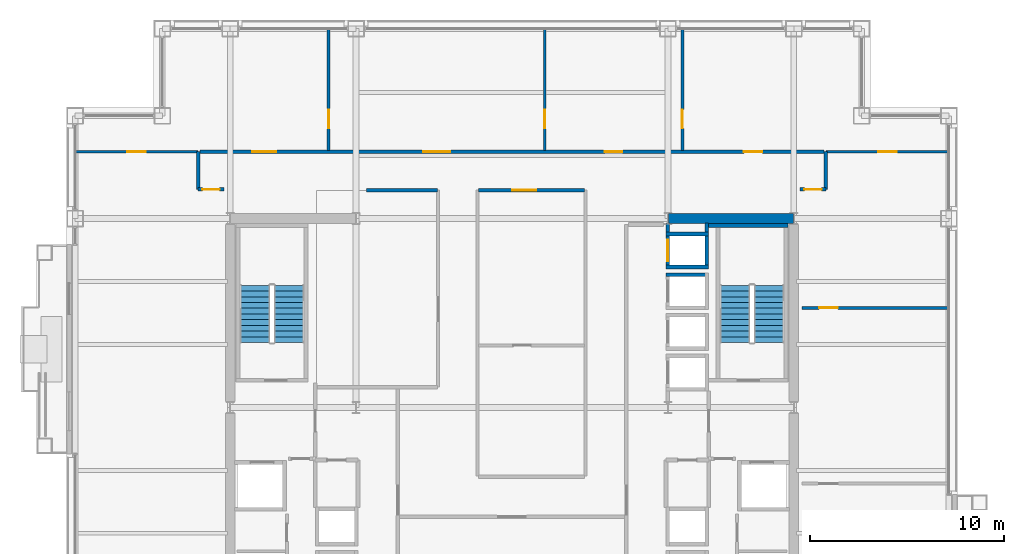
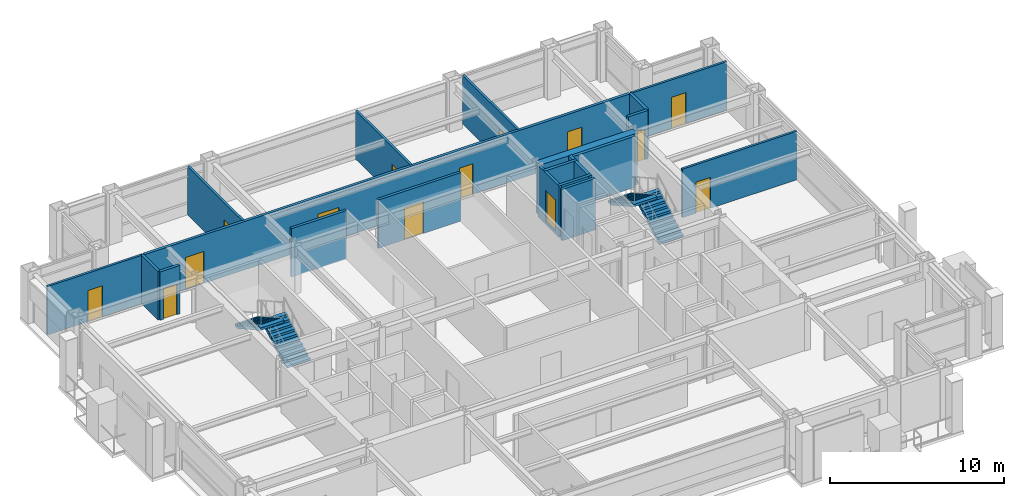
# One storey, part 27 of 30: 20 walls, 14 doors, 4 stair flights, 14 openings, 2 elements without a shape of their own.
"""IFC4 building model written with IfcOpenShell, lengths in metres."""

from ifc_helpers import new_model, si_unit, direction, frame, frame_2d, origin, place, context, subcontext, project, spatial, polyline, rectangle, outline, extrude, material, layer, layer_set, type_object, element, fill, aggregate, save


model = new_model("IFC4")

# Units and contexts
model_context = context("Model", 3, precision=1e-05, world=origin(), true_north=direction((0.0, 1.0)))
body_context = subcontext(model_context, "Body", "Model", "MODEL_VIEW")
ifc_project = project(units=[si_unit("LENGTHUNIT", "METRE"), si_unit("AREAUNIT", "SQUARE_METRE"), si_unit("VOLUMEUNIT", "CUBIC_METRE"), si_unit("PLANEANGLEUNIT", "RADIAN"), si_unit("MASSUNIT", "GRAM", prefix="KILO")], contexts=[model_context])

# Site, building, storey
site_placement = place(None, origin())
site = spatial("IfcSite", under=ifc_project, at=site_placement, CompositionType="ELEMENT")
building_placement = place(site_placement, origin())
building = spatial("IfcBuilding", under=site, at=building_placement, Name="Brelmoor Portico Tower", CompositionType="ELEMENT")
storey_placement = place(building_placement, frame((0.0, 0.0, 102.60009765625)))
storey = spatial("IfcBuildingStorey", under=building, at=storey_placement, Name="L26", CompositionType="ELEMENT", Elevation=102.60009765625)

# Wall
ifc_material_1 = material(Name="Concrete C60", Category="concrete")
ifc_layer_1 = layer(ifc_material_1, 0.5)
ifc_layer_set_1 = layer_set([ifc_layer_1], Name="Concrete C60")
wall_type_1 = type_object("IfcWallType", Name="WL-CORE-500", PredefinedType="SHEAR", material=ifc_layer_set_1)
wall_1_placement = place(storey_placement, frame((8.070068359375, 9.75, -0.2001953125), z_axis=(0.0, 0.0, 1.0), x_axis=(1.0, 0.0, 0.0)))
element("IfcWall", 1, at=wall_1_placement, inside=storey, type_object=wall_type_1, Name="L26 EC North Shear Wall", PredefinedType="SHEAR", context=body_context, shape_type="SweptSolid", body=[
    extrude(rectangle(XDim=6.4599609375, YDim=0.5, at=frame_2d((3.22998046875, 0.0))), origin(), (0.0, 0.0, 1.0), 3.60009765625),
])

# Wall, opening, door
ifc_material_2 = material(Name="Wet-Area Moisture-Resistant Partition", Category="gypsum")
ifc_layer_2 = layer(ifc_material_2, 0.14990234375)
ifc_layer_set_2 = layer_set([ifc_layer_2], Name="Wet-Area Moisture-Resistant Partition")
wall_type_2 = type_object("IfcWallType", Name="WL-PART-150", PredefinedType="PARTITIONING", material=ifc_layer_set_2)
wall_2_placement = place(storey_placement, frame((-9.469482421875, 13.260009765625, 0.0), z_axis=(0.0, 0.0, 1.0), x_axis=(0.0, 1.0, 0.0)))
wall_2 = element("IfcWall", 2, at=wall_2_placement, inside=storey, type_object=wall_type_2, Name="L26 North Suite Partition 1", PredefinedType="PARTITIONING", context=body_context, shape_type="SweptSolid", body=[
    extrude(rectangle(XDim=6.300048828125, YDim=0.14990234375, at=frame_2d((3.14990234375, 0.0))), origin(), (0.0, 0.0, 1.0), 3.39990234375),
])
opening_1_placement = place(wall_2_placement, frame((1.14990234375, 0.0, 0.0)))
opening_1 = element("IfcOpeningElement", 3, at=opening_1_placement, cuts=wall_2, Name="Opening D-IN2", PredefinedType="OPENING", context=body_context, shape_type="SweptSolid", body=[
    extrude(rectangle(XDim=0.9599609375, YDim=2.179931640625, at=frame_2d((0.47998046875, 1.08984375))), frame((0.0, 0.0849609375, 0.0), z_axis=(0.0, -1.0, 0.0), x_axis=(1.0, 0.0, 0.0)), (0.0, 0.0, 1.0), 0.169921875),
])
ifc_material_3 = material(Name="Lacquered Timber Suite Door", Category="wood")
door_type_1 = type_object("IfcDoorType", Name="DR-INT-950", OperationType="NOTDEFINED", PredefinedType="DOOR", material=ifc_material_3)
door_1_placement = place(opening_1_placement, origin())
door_1 = element("IfcDoor", 4, at=door_1_placement, inside=storey, type_object=door_type_1, Name="D-1151 L26 North Suite Connecting Door 1", OperationType="SINGLE_SWING_LEFT", OverallHeight=2.179931640625, OverallWidth=0.9599609375, PredefinedType="DOOR", context=body_context, shape_type="SweptSolid", body=[
    extrude(rectangle(XDim=0.9599609375, YDim=2.179931640625, at=frame_2d((0.47998046875, 1.08984375))), frame((0.0, 0.02490234375, 0.0), z_axis=(0.0, -1.0, 0.0), x_axis=(1.0, 0.0, 0.0)), (0.0, 0.0, 1.0), 0.050048828125),
])
fill(opening_1, door_1)

wall_3_placement = place(storey_placement, frame((1.69091796875, 13.260009765625, 0.0), z_axis=(0.0, 0.0, 1.0), x_axis=(0.0, 1.0, 0.0)))
wall_3 = element("IfcWall", 5, at=wall_3_placement, inside=storey, type_object=wall_type_2, Name="L26 North Suite Partition 2", PredefinedType="PARTITIONING", context=body_context, shape_type="SweptSolid", body=[
    extrude(rectangle(XDim=6.300048828125, YDim=0.14990234375, at=frame_2d((3.14990234375, 0.0))), origin(), (0.0, 0.0, 1.0), 3.39990234375),
])
opening_2_placement = place(wall_3_placement, frame((1.14990234375, 0.0, 0.0)))
opening_2 = element("IfcOpeningElement", 6, at=opening_2_placement, cuts=wall_3, Name="Opening D-IN2", PredefinedType="OPENING", context=body_context, shape_type="SweptSolid", body=[
    extrude(rectangle(XDim=0.9599609375, YDim=2.179931640625, at=frame_2d((0.47998046875, 1.08984375))), frame((0.0, 0.0849609375, 0.0), z_axis=(0.0, -1.0, 0.0), x_axis=(1.0, 0.0, 0.0)), (0.0, 0.0, 1.0), 0.169921875),
])
door_2_placement = place(opening_2_placement, origin())
door_2 = element("IfcDoor", 7, at=door_2_placement, inside=storey, type_object=door_type_1, Name="D-1152 L26 North Suite Connecting Door 2", OperationType="SINGLE_SWING_RIGHT", OverallHeight=2.179931640625, OverallWidth=0.9599609375, PredefinedType="DOOR", context=body_context, shape_type="SweptSolid", body=[
    extrude(rectangle(XDim=0.9599609375, YDim=2.179931640625, at=frame_2d((0.47998046875, 1.08984375))), frame((0.0, 0.02490234375, 0.0), z_axis=(0.0, -1.0, 0.0), x_axis=(1.0, 0.0, 0.0)), (0.0, 0.0, 1.0), 0.050048828125),
])
fill(opening_2, door_2)

wall_4_placement = place(storey_placement, frame((8.793212890625, 13.260009765625, 0.0), z_axis=(0.0, 0.0, 1.0), x_axis=(0.0, 1.0, 0.0)))
wall_4 = element("IfcWall", 8, at=wall_4_placement, inside=storey, type_object=wall_type_2, Name="L26 North Suite Partition 3", PredefinedType="PARTITIONING", context=body_context, shape_type="SweptSolid", body=[
    extrude(rectangle(XDim=6.300048828125, YDim=0.14990234375, at=frame_2d((3.14990234375, 0.0))), origin(), (0.0, 0.0, 1.0), 3.39990234375),
])
opening_3_placement = place(wall_4_placement, frame((1.14990234375, 0.0, 0.0)))
opening_3 = element("IfcOpeningElement", 9, at=opening_3_placement, cuts=wall_4, Name="Opening D-IN2", PredefinedType="OPENING", context=body_context, shape_type="SweptSolid", body=[
    extrude(rectangle(XDim=0.9599609375, YDim=2.179931640625, at=frame_2d((0.47998046875, 1.08984375))), frame((0.0, 0.0849609375, 0.0), z_axis=(0.0, -1.0, 0.0), x_axis=(1.0, 0.0, 0.0)), (0.0, 0.0, 1.0), 0.169921875),
])
door_3_placement = place(opening_3_placement, origin())
door_3 = element("IfcDoor", 10, at=door_3_placement, inside=storey, type_object=door_type_1, Name="D-1153 L26 North Suite Connecting Door 3", OperationType="SINGLE_SWING_LEFT", OverallHeight=2.179931640625, OverallWidth=0.9599609375, PredefinedType="DOOR", context=body_context, shape_type="SweptSolid", body=[
    extrude(rectangle(XDim=0.9599609375, YDim=2.179931640625, at=frame_2d((0.47998046875, 1.08984375))), frame((0.0, 0.02490234375, 0.0), z_axis=(0.0, -1.0, 0.0), x_axis=(1.0, 0.0, 0.0)), (0.0, 0.0, 1.0), 0.050048828125),
])
fill(opening_3, door_3)

wall_5_placement = place(storey_placement, frame((-22.56005859375, 13.199951171875, 0.0), z_axis=(0.0, 0.0, 1.0), x_axis=(1.0, 0.0, 0.0)))
wall_5 = element("IfcWall", 11, at=wall_5_placement, inside=storey, type_object=wall_type_2, Name="L26 North Wing Closure WL", PredefinedType="PARTITIONING", context=body_context, shape_type="SweptSolid", body=[
    extrude(rectangle(XDim=6.360107421875, YDim=0.14990234375, at=frame_2d((3.18017578125, 0.0))), origin(), (0.0, 0.0, 1.0), 3.39990234375),
])
opening_4_placement = place(wall_5_placement, frame((2.699951171875, 0.0, 0.0)))
opening_4 = element("IfcOpeningElement", 12, at=opening_4_placement, cuts=wall_5, Name="Opening D-IN2", PredefinedType="OPENING", context=body_context, shape_type="SweptSolid", body=[
    extrude(rectangle(XDim=0.9599609375, YDim=2.179931640625, at=frame_2d((0.47998046875, 1.08984375))), frame((0.0, 0.0849609375, 0.0), z_axis=(0.0, -1.0, 0.0), x_axis=(1.0, 0.0, 0.0)), (0.0, 0.0, 1.0), 0.169921875),
])
door_4_placement = place(opening_4_placement, origin())
door_4 = element("IfcDoor", 13, at=door_4_placement, inside=storey, type_object=door_type_1, Name="D-1155 L26 WL Wing North Suite Door", OperationType="SINGLE_SWING_LEFT", OverallHeight=2.179931640625, OverallWidth=0.9599609375, PredefinedType="DOOR", context=body_context, shape_type="SweptSolid", body=[
    extrude(rectangle(XDim=0.9599609375, YDim=2.179931640625, at=frame_2d((0.47998046875, 1.08984375))), frame((0.0, 0.02490234375, 0.0), z_axis=(0.0, -1.0, 0.0), x_axis=(1.0, 0.0, 0.0)), (0.0, 0.0, 1.0), 0.050048828125),
])
fill(opening_4, door_4)

wall_6_placement = place(storey_placement, frame((16.199951171875, 13.199951171875, 0.0), z_axis=(0.0, 0.0, 1.0), x_axis=(1.0, 0.0, 0.0)))
wall_6 = element("IfcWall", 14, at=wall_6_placement, inside=storey, type_object=wall_type_2, Name="L26 North Wing Closure ER", PredefinedType="PARTITIONING", context=body_context, shape_type="SweptSolid", body=[
    extrude(rectangle(XDim=6.360107421875, YDim=0.14990234375, at=frame_2d((3.18017578125, 0.0))), origin(), (0.0, 0.0, 1.0), 3.39990234375),
])
opening_5_placement = place(wall_6_placement, frame((2.699951171875, 0.0, 0.0)))
opening_5 = element("IfcOpeningElement", 15, at=opening_5_placement, cuts=wall_6, Name="Opening D-IN2", PredefinedType="OPENING", context=body_context, shape_type="SweptSolid", body=[
    extrude(rectangle(XDim=0.9599609375, YDim=2.179931640625, at=frame_2d((0.47998046875, 1.08984375))), frame((0.0, 0.0849609375, 0.0), z_axis=(0.0, -1.0, 0.0), x_axis=(1.0, 0.0, 0.0)), (0.0, 0.0, 1.0), 0.169921875),
])
door_5_placement = place(opening_5_placement, origin())
door_5 = element("IfcDoor", 16, at=door_5_placement, inside=storey, type_object=door_type_1, Name="D-1154 L26 ER Wing North Suite Door", OperationType="SINGLE_SWING_RIGHT", OverallHeight=2.179931640625, OverallWidth=0.9599609375, PredefinedType="DOOR", context=body_context, shape_type="SweptSolid", body=[
    extrude(rectangle(XDim=0.9599609375, YDim=2.179931640625, at=frame_2d((0.47998046875, 1.08984375))), frame((0.0, 0.02490234375, 0.0), z_axis=(0.0, -1.0, 0.0), x_axis=(1.0, 0.0, 0.0)), (0.0, 0.0, 1.0), 0.050048828125),
])
fill(opening_5, door_5)

wall_7_placement = place(storey_placement, frame((14.9599609375, 5.13427734375, 0.0), z_axis=(0.0, 0.0, 1.0), x_axis=(1.0, 0.0, 0.0)))
wall_7 = element("IfcWall", 17, at=wall_7_placement, inside=storey, type_object=wall_type_2, Name="L26 E Wing Partition 2", PredefinedType="PARTITIONING", context=body_context, shape_type="SweptSolid", body=[
    extrude(rectangle(XDim=7.60009765625, YDim=0.14990234375, at=frame_2d((3.800048828125, 0.0))), origin(), (0.0, 0.0, 1.0), 3.39990234375),
])
opening_6_placement = place(wall_7_placement, frame((0.89990234375, 0.0, 0.0)))
opening_6 = element("IfcOpeningElement", 18, at=opening_6_placement, cuts=wall_7, Name="Opening D-IN2", PredefinedType="OPENING", context=body_context, shape_type="SweptSolid", body=[
    extrude(rectangle(XDim=0.9599609375, YDim=2.179931640625, at=frame_2d((0.47998046875, 1.08984375))), frame((0.0, 0.0849609375, 0.0), z_axis=(0.0, -1.0, 0.0), x_axis=(1.0, 0.0, 0.0)), (0.0, 0.0, 1.0), 0.169921875),
])
door_6_placement = place(opening_6_placement, origin())
door_6 = element("IfcDoor", 19, at=door_6_placement, inside=storey, type_object=door_type_1, Name="D-1167 L26 E Wing Suite Connecting Door 2", OperationType="SINGLE_SWING_RIGHT", OverallHeight=2.179931640625, OverallWidth=0.9599609375, PredefinedType="DOOR", context=body_context, shape_type="SweptSolid", body=[
    extrude(rectangle(XDim=0.9599609375, YDim=2.179931640625, at=frame_2d((0.47998046875, 1.08984375))), frame((0.0, 0.02490234375, 0.0), z_axis=(0.0, -1.0, 0.0), x_axis=(1.0, 0.0, 0.0)), (0.0, 0.0, 1.0), 0.050048828125),
])
fill(opening_6, door_6)

# Wall
ifc_material_4 = material(Name="Acoustic Corridor Fire Partition", Category="gypsum")
ifc_layer_3 = layer(ifc_material_4, 0.179931640625)
ifc_layer_set_3 = layer_set([ifc_layer_3], Name="Acoustic Corridor Fire Partition")
wall_type_3 = type_object("IfcWallType", Name="WL-PART-180", PredefinedType="PARTITIONING", material=ifc_layer_set_3)
wall_8_placement = place(storey_placement, frame((-7.5, 11.219970703125, 0.0), z_axis=(0.0, 0.0, 1.0), x_axis=(1.0, 0.0, 0.0)))
element("IfcWall", 20, at=wall_8_placement, inside=storey, type_object=wall_type_3, Name="L26 Reclaimed West Suite North Wall", PredefinedType="PARTITIONING", context=body_context, shape_type="SweptSolid", body=[
    extrude(rectangle(XDim=3.659912109375, YDim=0.179931640625, at=frame_2d((1.830078125, 0.0))), origin(), (0.0, 0.0, 1.0), 3.39990234375),
])

# Wall, opening, door
wall_9_placement = place(storey_placement, frame((-1.72998046875, 11.219970703125, 0.0), z_axis=(0.0, 0.0, 1.0), x_axis=(1.0, 0.0, 0.0)))
wall_9 = element("IfcWall", 21, at=wall_9_placement, inside=storey, type_object=wall_type_3, Name="L26 Central Meeting North Wall", PredefinedType="PARTITIONING", context=body_context, shape_type="SweptSolid", body=[
    extrude(rectangle(XDim=5.47998046875, YDim=0.179931640625, at=frame_2d((2.739990234375, 0.0))), origin(), (0.0, 0.0, 1.0), 3.39990234375),
])
opening_7_placement = place(wall_9_placement, frame((1.75, 0.0, 0.0)))
opening_7 = element("IfcOpeningElement", 22, at=opening_7_placement, cuts=wall_9, Name="Opening D-SU1", PredefinedType="OPENING", context=body_context, shape_type="SweptSolid", body=[
    extrude(rectangle(XDim=1.239990234375, YDim=2.239990234375, at=frame_2d((0.6201171875, 1.1201171875))), frame((0.0, 0.099853515625, 0.0), z_axis=(0.0, -1.0, 0.0), x_axis=(1.0, 0.0, 0.0)), (0.0, 0.0, 1.0), 0.199951171875),
])
ifc_material_5 = material(Name="Glazed Timber Executive Suite Door", Category="wood")
door_type_2 = type_object("IfcDoorType", Name="DR-SUITE-1200", OperationType="NOTDEFINED", PredefinedType="DOOR", material=ifc_material_5)
door_7_placement = place(opening_7_placement, origin())
door_7 = element("IfcDoor", 23, at=door_7_placement, inside=storey, type_object=door_type_2, Name="D-1134 L26 Client Meeting Room Door", OperationType="SINGLE_SWING_RIGHT", OverallHeight=2.239990234375, OverallWidth=1.239990234375, PredefinedType="DOOR", context=body_context, shape_type="SweptSolid", body=[
    extrude(rectangle(XDim=1.239990234375, YDim=2.239990234375, at=frame_2d((0.6201171875, 1.1201171875))), frame((0.0, 0.02490234375, 0.0), z_axis=(0.0, -1.0, 0.0), x_axis=(1.0, 0.0, 0.0)), (0.0, 0.0, 1.0), 0.050048828125),
])
fill(opening_7, door_7)

# Wall, openings, doors
wall_10_placement = place(storey_placement, frame((-16.10009765625, 13.199951171875, 0.0), z_axis=(0.0, 0.0, 1.0), x_axis=(1.0, 0.0, 0.0)))
wall_10 = element("IfcWall", 24, at=wall_10_placement, inside=storey, type_object=wall_type_3, Name="L26 North Corridor Partition", PredefinedType="PARTITIONING", context=body_context, shape_type="SweptSolid", body=[
    extrude(rectangle(XDim=32.2001953125, YDim=0.179931640625, at=frame_2d((16.10009765625, 0.0))), origin(), (0.0, 0.0, 1.0), 3.39990234375),
])
opening_8_placement = place(wall_10_placement, frame((2.6953125, 0.0, 0.0)))
opening_8 = element("IfcOpeningElement", 25, at=opening_8_placement, cuts=wall_10, Name="Opening D-SU1", PredefinedType="OPENING", context=body_context, shape_type="SweptSolid", body=[
    extrude(rectangle(XDim=1.239990234375, YDim=2.239990234375, at=frame_2d((0.6201171875, 1.1201171875))), frame((0.0, 0.099853515625, 0.0), z_axis=(0.0, -1.0, 0.0), x_axis=(1.0, 0.0, 0.0)), (0.0, 0.0, 1.0), 0.199951171875),
])
opening_9_placement = place(wall_10_placement, frame((11.5107421875, 0.0, 0.0)))
opening_9 = element("IfcOpeningElement", 26, at=opening_9_placement, cuts=wall_10, Name="Opening D-SU2", PredefinedType="OPENING", context=body_context, shape_type="SweptSolid", body=[
    extrude(rectangle(XDim=1.39990234375, YDim=2.199951171875, at=frame_2d((0.699951171875, 1.10009765625))), frame((0.0, 0.099853515625, 0.0), z_axis=(0.0, -1.0, 0.0), x_axis=(1.0, 0.0, 0.0)), (0.0, 0.0, 1.0), 0.199951171875),
])
opening_10_placement = place(wall_10_placement, frame((20.89208984375, 0.0, 0.0)))
opening_10 = element("IfcOpeningElement", 27, at=opening_10_placement, cuts=wall_10, Name="Opening D-IN1", PredefinedType="OPENING", context=body_context, shape_type="SweptSolid", body=[
    extrude(rectangle(XDim=0.89990234375, YDim=2.14990234375, at=frame_2d((0.449951171875, 1.074951171875))), frame((0.0, 0.099853515625, 0.0), z_axis=(0.0, -1.0, 0.0), x_axis=(1.0, 0.0, 0.0)), (0.0, 0.0, 1.0), 0.199951171875),
])
opening_11_placement = place(wall_10_placement, frame((28.066650390625, 0.0, 0.0)))
opening_11 = element("IfcOpeningElement", 28, at=opening_11_placement, cuts=wall_10, Name="Opening D-IN2", PredefinedType="OPENING", context=body_context, shape_type="SweptSolid", body=[
    extrude(rectangle(XDim=0.9599609375, YDim=2.179931640625, at=frame_2d((0.47998046875, 1.08984375))), frame((0.0, 0.099853515625, 0.0), z_axis=(0.0, -1.0, 0.0), x_axis=(1.0, 0.0, 0.0)), (0.0, 0.0, 1.0), 0.199951171875),
])
door_type_3 = type_object("IfcDoorType", Name="DR-INT-900", OperationType="NOTDEFINED", PredefinedType="DOOR", material=ifc_material_3)
door_8_placement = place(opening_10_placement, origin())
door_8 = element("IfcDoor", 29, at=door_8_placement, inside=storey, type_object=door_type_3, Name="D-1149 L26 North Design Workshop 3 Door", OperationType="SINGLE_SWING_LEFT", OverallHeight=2.14990234375, OverallWidth=0.89990234375, PredefinedType="DOOR", context=body_context, shape_type="SweptSolid", body=[
    extrude(rectangle(XDim=0.89990234375, YDim=2.14990234375, at=frame_2d((0.449951171875, 1.074951171875))), frame((0.0, 0.02490234375, 0.0), z_axis=(0.0, -1.0, 0.0), x_axis=(1.0, 0.0, 0.0)), (0.0, 0.0, 1.0), 0.050048828125),
])
fill(opening_10, door_8)
door_9_placement = place(opening_11_placement, origin())
door_9 = element("IfcDoor", 30, at=door_9_placement, inside=storey, type_object=door_type_1, Name="D-1150 L26 North Client Reception Room 4 Door", OperationType="SINGLE_SWING_RIGHT", OverallHeight=2.179931640625, OverallWidth=0.9599609375, PredefinedType="DOOR", context=body_context, shape_type="SweptSolid", body=[
    extrude(rectangle(XDim=0.9599609375, YDim=2.179931640625, at=frame_2d((0.47998046875, 1.08984375))), frame((0.0, 0.02490234375, 0.0), z_axis=(0.0, -1.0, 0.0), x_axis=(1.0, 0.0, 0.0)), (0.0, 0.0, 1.0), 0.050048828125),
])
fill(opening_11, door_9)
door_10_placement = place(opening_8_placement, origin())
door_10 = element("IfcDoor", 31, at=door_10_placement, inside=storey, type_object=door_type_2, Name="D-1147 L26 North Partner Cellular Office 1 Door", OperationType="SINGLE_SWING_RIGHT", OverallHeight=2.239990234375, OverallWidth=1.239990234375, PredefinedType="DOOR", context=body_context, shape_type="SweptSolid", body=[
    extrude(rectangle(XDim=1.239990234375, YDim=2.239990234375, at=frame_2d((0.6201171875, 1.1201171875))), frame((0.0, 0.02490234375, 0.0), z_axis=(0.0, -1.0, 0.0), x_axis=(1.0, 0.0, 0.0)), (0.0, 0.0, 1.0), 0.050048828125),
])
fill(opening_8, door_10)
ifc_material_6 = material(Name="Double-Leaf Acoustic Suite Door", Category="timber")
door_type_4 = type_object("IfcDoorType", Name="DR-SUITE-1400", OperationType="NOTDEFINED", PredefinedType="DOOR", material=ifc_material_6)
door_11_placement = place(opening_9_placement, origin())
door_11 = element("IfcDoor", 32, at=door_11_placement, inside=storey, type_object=door_type_4, Name="D-1148 L26 North Project Mail Room 2 Door", OperationType="DOUBLE_DOOR_SINGLE_SWING", OverallHeight=2.199951171875, OverallWidth=1.39990234375, PredefinedType="DOOR", context=body_context, shape_type="SweptSolid", body=[
    extrude(rectangle(XDim=1.39990234375, YDim=2.199951171875, at=frame_2d((0.699951171875, 1.10009765625))), frame((0.0, 0.02490234375, 0.0), z_axis=(0.0, -1.0, 0.0), x_axis=(1.0, 0.0, 0.0)), (0.0, 0.0, 1.0), 0.050048828125),
])
fill(opening_9, door_11)

# Wall, opening, door
wall_11_placement = place(storey_placement, frame((-16.199951171875, 11.25, 0.0), z_axis=(0.0, 0.0, 1.0), x_axis=(1.0, 0.0, 0.0)))
wall_11 = element("IfcWall", 33, at=wall_11_placement, inside=storey, type_object=wall_type_3, Name="L26 W Wing North Entry Wall", PredefinedType="PARTITIONING", context=body_context, shape_type="SweptSolid", body=[
    extrude(rectangle(XDim=1.320068359375, YDim=0.179931640625, at=frame_2d((0.66015625, 0.0))), origin(), (0.0, 0.0, 1.0), 3.39990234375),
])
opening_12_placement = place(wall_11_placement, frame((0.2099609375, 0.0, 0.0)))
opening_12 = element("IfcOpeningElement", 34, at=opening_12_placement, cuts=wall_11, Name="Opening D-IN1", PredefinedType="OPENING", context=body_context, shape_type="SweptSolid", body=[
    extrude(rectangle(XDim=0.89990234375, YDim=2.14990234375, at=frame_2d((0.449951171875, 1.074951171875))), frame((0.0, 0.099853515625, 0.0), z_axis=(0.0, -1.0, 0.0), x_axis=(1.0, 0.0, 0.0)), (0.0, 0.0, 1.0), 0.199951171875),
])
door_12_placement = place(opening_12_placement, origin())
door_12 = element("IfcDoor", 35, at=door_12_placement, inside=storey, type_object=door_type_3, Name="D-1169 L26 W Wing Entry Door", OperationType="SINGLE_SWING_LEFT", OverallHeight=2.14990234375, OverallWidth=0.89990234375, PredefinedType="DOOR", context=body_context, shape_type="SweptSolid", body=[
    extrude(rectangle(XDim=0.89990234375, YDim=2.14990234375, at=frame_2d((0.449951171875, 1.074951171875))), frame((0.0, 0.02490234375, 0.0), z_axis=(0.0, -1.0, 0.0), x_axis=(1.0, 0.0, 0.0)), (0.0, 0.0, 1.0), 0.050048828125),
])
fill(opening_12, door_12)

# Wall
wall_12_placement = place(storey_placement, frame((-16.199951171875, 11.25, 0.0), z_axis=(0.0, 0.0, 1.0), x_axis=(0.0, 1.0, 0.0)))
element("IfcWall", 36, at=wall_12_placement, inside=storey, type_object=wall_type_3, Name="L26 W Corridor End Closure", PredefinedType="PARTITIONING", context=body_context, shape_type="SweptSolid", body=[
    extrude(rectangle(XDim=1.949951171875, YDim=0.179931640625, at=frame_2d((0.97509765625, 0.0))), origin(), (0.0, 0.0, 1.0), 3.39990234375),
])

# Wall, opening, door
wall_13_placement = place(storey_placement, frame((14.8798828125, 11.25, 0.0), z_axis=(0.0, 0.0, 1.0), x_axis=(1.0, 0.0, 0.0)))
wall_13 = element("IfcWall", 37, at=wall_13_placement, inside=storey, type_object=wall_type_3, Name="L26 E Wing North Entry Wall", PredefinedType="PARTITIONING", context=body_context, shape_type="SweptSolid", body=[
    extrude(rectangle(XDim=1.320068359375, YDim=0.179931640625, at=frame_2d((0.66015625, 0.0))), origin(), (0.0, 0.0, 1.0), 3.39990234375),
])
opening_13_placement = place(wall_13_placement, frame((0.2099609375, 0.0, 0.0)))
opening_13 = element("IfcOpeningElement", 38, at=opening_13_placement, cuts=wall_13, Name="Opening D-IN1", PredefinedType="OPENING", context=body_context, shape_type="SweptSolid", body=[
    extrude(rectangle(XDim=0.89990234375, YDim=2.14990234375, at=frame_2d((0.449951171875, 1.074951171875))), frame((0.0, 0.099853515625, 0.0), z_axis=(0.0, -1.0, 0.0), x_axis=(1.0, 0.0, 0.0)), (0.0, 0.0, 1.0), 0.199951171875),
])
door_13_placement = place(opening_13_placement, origin())
door_13 = element("IfcDoor", 39, at=door_13_placement, inside=storey, type_object=door_type_3, Name="D-1168 L26 E Wing Entry Door", OperationType="SINGLE_SWING_RIGHT", OverallHeight=2.14990234375, OverallWidth=0.89990234375, PredefinedType="DOOR", context=body_context, shape_type="SweptSolid", body=[
    extrude(rectangle(XDim=0.89990234375, YDim=2.14990234375, at=frame_2d((0.449951171875, 1.074951171875))), frame((0.0, 0.02490234375, 0.0), z_axis=(0.0, -1.0, 0.0), x_axis=(1.0, 0.0, 0.0)), (0.0, 0.0, 1.0), 0.050048828125),
])
fill(opening_13, door_13)

# Walls
wall_14_placement = place(storey_placement, frame((16.199951171875, 11.25, 0.0), z_axis=(0.0, 0.0, 1.0), x_axis=(0.0, 1.0, 0.0)))
element("IfcWall", 40, at=wall_14_placement, inside=storey, type_object=wall_type_3, Name="L26 E Corridor End Closure", PredefinedType="PARTITIONING", context=body_context, shape_type="SweptSolid", body=[
    extrude(rectangle(XDim=1.949951171875, YDim=0.179931640625, at=frame_2d((0.97509765625, 0.0))), origin(), (0.0, 0.0, 1.0), 3.39990234375),
])
ifc_material_7 = material(Name="Precast Concrete C40", Category="concrete")
ifc_layer_4 = layer(ifc_material_7, 0.18994140625)
ifc_layer_set_4 = layer_set([ifc_layer_4], Name="Precast Concrete C40")
wall_type_4 = type_object("IfcWallType", Name="WL-SHAFT-180", PredefinedType="SOLIDWALL", material=ifc_layer_set_4)
wall_15_placement = place(storey_placement, frame((7.949951171875, 6.85498046875, -0.2001953125), z_axis=(0.0, 0.0, 1.0), x_axis=(1.0, 0.0, 0.0)))
element("IfcWall", 41, at=wall_15_placement, inside=storey, type_object=wall_type_4, Name="L26 Lift PM3 Hoistway North Wall", PredefinedType="SOLIDWALL", context=body_context, shape_type="SweptSolid", body=[
    extrude(rectangle(XDim=2.199951171875, YDim=0.18994140625, at=frame_2d((1.10009765625, 0.0))), origin(), (0.0, 0.0, 1.0), 3.60009765625),
])

# Wall, opening, door
wall_16_placement = place(storey_placement, frame((8.044921875, 7.14990234375, -0.2001953125), z_axis=(0.0, 0.0, 1.0), x_axis=(0.0, 1.0, 0.0)))
wall_16 = element("IfcWall", 42, at=wall_16_placement, inside=storey, type_object=wall_type_4, Name="L26 Lift PM4 Hoistway Front Wall", PredefinedType="SOLIDWALL", context=body_context, shape_type="SweptSolid", body=[
    extrude(rectangle(XDim=2.3701171875, YDim=0.18994140625, at=frame_2d((1.18505859375, 0.0))), origin(), (0.0, 0.0, 1.0), 3.60009765625),
])
opening_14_placement = place(wall_16_placement, frame((0.39990234375, 0.0, 0.199951171875)))
opening_14 = element("IfcOpeningElement", 43, at=opening_14_placement, cuts=wall_16, Name="Opening LD-01", PredefinedType="OPENING", context=body_context, shape_type="SweptSolid", body=[
    extrude(rectangle(XDim=1.10009765625, YDim=2.199951171875, at=frame_2d((0.550048828125, 1.10009765625))), frame((0.0, 0.10498046875, 0.0), z_axis=(0.0, -1.0, 0.0), x_axis=(1.0, 0.0, 0.0)), (0.0, 0.0, 1.0), 0.2099609375),
])
ifc_material_8 = material(Name="Brushed Stainless Steel Sliding Lift Door", Category="steel")
door_type_5 = type_object("IfcDoorType", Name="DR-LIFT-1100", OperationType="NOTDEFINED", PredefinedType="DOOR", material=ifc_material_8)
door_14_placement = place(opening_14_placement, origin())
door_14 = element("IfcDoor", 44, at=door_14_placement, inside=storey, type_object=door_type_5, Name="D-1175 L26 Lift PM4 Sliding Landing Door", OperationType="SLIDING_TO_LEFT", OverallHeight=2.199951171875, OverallWidth=1.10009765625, PredefinedType="DOOR", context=body_context, shape_type="SweptSolid", body=[
    extrude(rectangle(XDim=1.10009765625, YDim=2.199951171875, at=frame_2d((0.550048828125, 1.10009765625))), frame((0.0, 0.02490234375, 0.0), z_axis=(0.0, -1.0, 0.0), x_axis=(1.0, 0.0, 0.0)), (0.0, 0.0, 1.0), 0.050048828125),
])
fill(opening_14, door_14)

# Walls
wall_17_placement = place(storey_placement, frame((10.054931640625, 7.14990234375, -0.2001953125), z_axis=(0.0, 0.0, 1.0), x_axis=(0.0, 1.0, 0.0)))
element("IfcWall", 45, at=wall_17_placement, inside=storey, type_object=wall_type_4, Name="L26 Lift PM4 Hoistway Back Wall", PredefinedType="SOLIDWALL", context=body_context, shape_type="SweptSolid", body=[
    extrude(rectangle(XDim=2.3701171875, YDim=0.18994140625, at=frame_2d((1.18505859375, 0.0))), origin(), (0.0, 0.0, 1.0), 3.60009765625),
])
for number, where, z_axis, x_axis, name in (
    (46, (7.949951171875, 8.955078125, -0.2001953125), (0.0, 0.0, 1.0), (1.0, 0.0, 0.0), "L26 Lift PM4 Hoistway North Wall"),
    (47, (7.949951171875, 7.2451171875, -0.2001953125), (0.0, 0.0, 1.0), (1.0, 0.0, 0.0), "L26 Lift PM4 Hoistway South Wall"),
):
    element("IfcWall", number, at=place(storey_placement, frame(where, z_axis=z_axis, x_axis=x_axis)), inside=storey, type_object=wall_type_4, Name=name, PredefinedType="SOLIDWALL", context=body_context, shape_type="SweptSolid", body=[
        extrude(rectangle(XDim=2.199951171875, YDim=0.18994140625, at=frame_2d((1.10009765625, 0.0))), origin(), (0.0, 0.0, 1.0), 3.60009765625),
    ])
ifc_material_9 = material(Name="Concrete C40", Category="concrete")
ifc_layer_5 = layer(ifc_material_9, 0.199951171875)
ifc_layer_set_5 = layer_set([ifc_layer_5], Name="Concrete C40")
wall_type_5 = type_object("IfcWallType", Name="WL-SHAFT-RC200", PredefinedType="SOLIDWALL", material=ifc_layer_set_5)
wall_18_placement = place(storey_placement, frame((10.14990234375, 9.39990234375, -0.2001953125), z_axis=(0.0, 0.0, 1.0), x_axis=(1.0, 0.0, 0.0)))
element("IfcWall", 48, at=wall_18_placement, inside=storey, type_object=wall_type_5, Name="L26 ST-E Structural Stair Wall N", PredefinedType="SOLIDWALL", context=body_context, shape_type="SweptSolid", body=[
    extrude(rectangle(XDim=4.10009765625, YDim=0.199951171875, at=frame_2d((2.050048828125, 0.0))), origin(), (0.0, 0.0, 1.0), 3.60009765625),
])

# Stair, stair flights
stair_type_1 = type_object("IfcStairType", Name="ST-CORE-W", PredefinedType="HALF_TURN_STAIR", material=ifc_material_9)
stair_1_placement = place(storey_placement, origin())
stair_1 = element("IfcStair", 49, at=stair_1_placement, inside=storey, type_object=stair_type_1, Name="L26 Protected Core Exit Stair ST-W", PredefinedType="HALF_TURN_STAIR")
stair_flight_type = type_object("IfcStairFlightType", Name="SF-CORE-1850", PredefinedType="STRAIGHT", material=ifc_material_9)
stair_flight_1_placement = place(storey_placement, frame((-11.510009765625, 3.35009765625, 0.0), z_axis=(0.0, 0.0, 1.0), x_axis=(0.0, 1.0, 0.0)))
stair_flight_1 = element("IfcStairFlight", 50, at=stair_flight_1_placement, type_object=stair_flight_type, Name="ST-W flight 1", NumberOfRisers=11, NumberOfTreads=10, PredefinedType="STRAIGHT", RiserHeight=0.163636364, TreadLength=0.295, context=body_context, shape_type="SweptSolid", body=[
    extrude(outline(polyline([(0.0, 0.0), (0.0, 0.16357421875), (0.294921875, 0.16357421875), (0.294921875, 0.327392578125), (0.590087890625, 0.327392578125), (0.590087890625, 0.490966796875), (0.885009765625, 0.490966796875), (0.885009765625, 0.654541015625), (1.179931640625, 0.654541015625), (1.179931640625, 0.818115234375), (1.47509765625, 0.818115234375), (1.47509765625, 0.98193359375), (1.77001953125, 0.98193359375), (1.77001953125, 1.1455078125), (2.06494140625, 1.1455078125), (2.06494140625, 1.30908203125), (2.360107421875, 1.30908203125), (2.360107421875, 1.47265625), (2.655029296875, 1.47265625), (2.655029296875, 1.636474609375), (2.949951171875, 1.636474609375), (2.949951171875, 1.800048828125), (2.949951171875, 1.46484375), (0.30908203125, 0.0), (0.0, 0.0)])), frame((0.0, 0.780029296875, 0.0), z_axis=(0.0, -1.0, 0.0), x_axis=(1.0, 0.0, 0.0)), (0.0, 0.0, 1.0), 1.56005859375),
])
stair_flight_2_placement = place(storey_placement, frame((-13.27001953125, 6.300048828125, 1.7998046875), z_axis=(0.0, 0.0, 1.0), x_axis=(0.0, -1.0, 0.0)))
stair_flight_2 = element("IfcStairFlight", 51, at=stair_flight_2_placement, type_object=stair_flight_type, Name="ST-W flight 2", NumberOfRisers=11, NumberOfTreads=10, PredefinedType="STRAIGHT", RiserHeight=0.163636364, TreadLength=0.295, context=body_context, shape_type="SweptSolid", body=[
    extrude(outline(polyline([(0.0, 0.0), (0.0, 0.16357421875), (0.294921875, 0.16357421875), (0.294921875, 0.327392578125), (0.590087890625, 0.327392578125), (0.590087890625, 0.490966796875), (0.885009765625, 0.490966796875), (0.885009765625, 0.654541015625), (1.179931640625, 0.654541015625), (1.179931640625, 0.818115234375), (1.47509765625, 0.818115234375), (1.47509765625, 0.98193359375), (1.77001953125, 0.98193359375), (1.77001953125, 1.1455078125), (2.06494140625, 1.1455078125), (2.06494140625, 1.30908203125), (2.360107421875, 1.30908203125), (2.360107421875, 1.47265625), (2.655029296875, 1.47265625), (2.655029296875, 1.636474609375), (2.949951171875, 1.636474609375), (2.949951171875, 1.800048828125), (2.949951171875, 1.46484375), (0.30908203125, 0.0), (0.0, 0.0)])), frame((0.0, 0.780029296875, 0.0), z_axis=(0.0, -1.0, 0.0), x_axis=(1.0, 0.0, 0.0)), (0.0, 0.0, 1.0), 1.56005859375),
])
aggregate(stair_1, [stair_flight_1, stair_flight_2])

stair_type_2 = type_object("IfcStairType", Name="ST-CORE-E", PredefinedType="HALF_TURN_STAIR", material=ifc_material_9)
stair_2_placement = place(storey_placement, origin())
stair_2 = element("IfcStair", 52, at=stair_2_placement, inside=storey, type_object=stair_type_2, Name="L26 Protected Core Exit Stair ST-E", PredefinedType="HALF_TURN_STAIR")
stair_flight_3_placement = place(storey_placement, frame((13.27001953125, 3.35009765625, 0.0), z_axis=(0.0, 0.0, 1.0), x_axis=(0.0, 1.0, 0.0)))
stair_flight_3 = element("IfcStairFlight", 53, at=stair_flight_3_placement, type_object=stair_flight_type, Name="ST-E flight 1", NumberOfRisers=11, NumberOfTreads=10, PredefinedType="STRAIGHT", RiserHeight=0.163636364, TreadLength=0.295, context=body_context, shape_type="SweptSolid", body=[
    extrude(outline(polyline([(0.0, 0.0), (0.0, 0.16357421875), (0.294921875, 0.16357421875), (0.294921875, 0.327392578125), (0.590087890625, 0.327392578125), (0.590087890625, 0.490966796875), (0.885009765625, 0.490966796875), (0.885009765625, 0.654541015625), (1.179931640625, 0.654541015625), (1.179931640625, 0.818115234375), (1.47509765625, 0.818115234375), (1.47509765625, 0.98193359375), (1.77001953125, 0.98193359375), (1.77001953125, 1.1455078125), (2.06494140625, 1.1455078125), (2.06494140625, 1.30908203125), (2.360107421875, 1.30908203125), (2.360107421875, 1.47265625), (2.655029296875, 1.47265625), (2.655029296875, 1.636474609375), (2.949951171875, 1.636474609375), (2.949951171875, 1.800048828125), (2.949951171875, 1.46484375), (0.30908203125, 0.0), (0.0, 0.0)])), frame((0.0, 0.780029296875, 0.0), z_axis=(0.0, -1.0, 0.0), x_axis=(1.0, 0.0, 0.0)), (0.0, 0.0, 1.0), 1.56005859375),
])
stair_flight_4_placement = place(storey_placement, frame((11.510009765625, 6.300048828125, 1.7998046875), z_axis=(0.0, 0.0, 1.0), x_axis=(0.0, -1.0, 0.0)))
stair_flight_4 = element("IfcStairFlight", 54, at=stair_flight_4_placement, type_object=stair_flight_type, Name="ST-E flight 2", NumberOfRisers=11, NumberOfTreads=10, PredefinedType="STRAIGHT", RiserHeight=0.163636364, TreadLength=0.295, context=body_context, shape_type="SweptSolid", body=[
    extrude(outline(polyline([(0.0, 0.0), (0.0, 0.16357421875), (0.294921875, 0.16357421875), (0.294921875, 0.327392578125), (0.590087890625, 0.327392578125), (0.590087890625, 0.490966796875), (0.885009765625, 0.490966796875), (0.885009765625, 0.654541015625), (1.179931640625, 0.654541015625), (1.179931640625, 0.818115234375), (1.47509765625, 0.818115234375), (1.47509765625, 0.98193359375), (1.77001953125, 0.98193359375), (1.77001953125, 1.1455078125), (2.06494140625, 1.1455078125), (2.06494140625, 1.30908203125), (2.360107421875, 1.30908203125), (2.360107421875, 1.47265625), (2.655029296875, 1.47265625), (2.655029296875, 1.636474609375), (2.949951171875, 1.636474609375), (2.949951171875, 1.800048828125), (2.949951171875, 1.46484375), (0.30908203125, 0.0), (0.0, 0.0)])), frame((0.0, 0.780029296875, 0.0), z_axis=(0.0, -1.0, 0.0), x_axis=(1.0, 0.0, 0.0)), (0.0, 0.0, 1.0), 1.56005859375),
])
aggregate(stair_2, [stair_flight_3, stair_flight_4])

save(model, "model.ifc")
